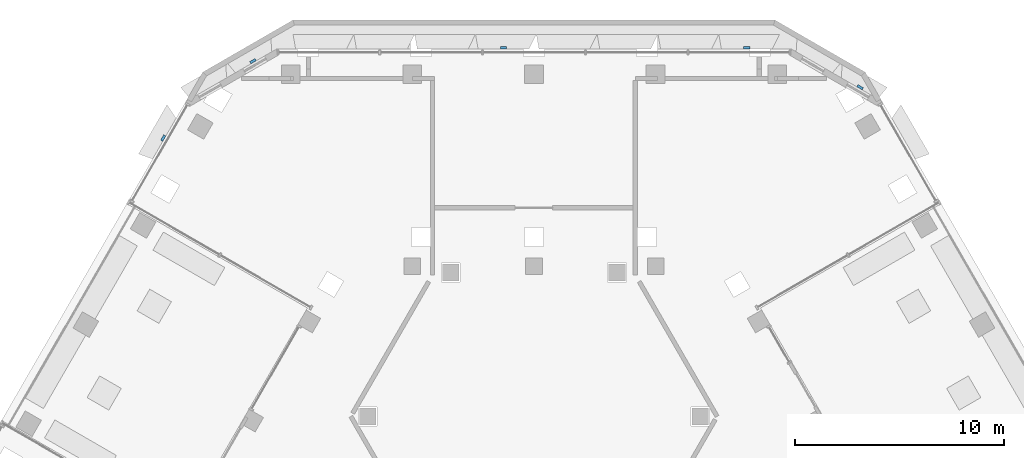
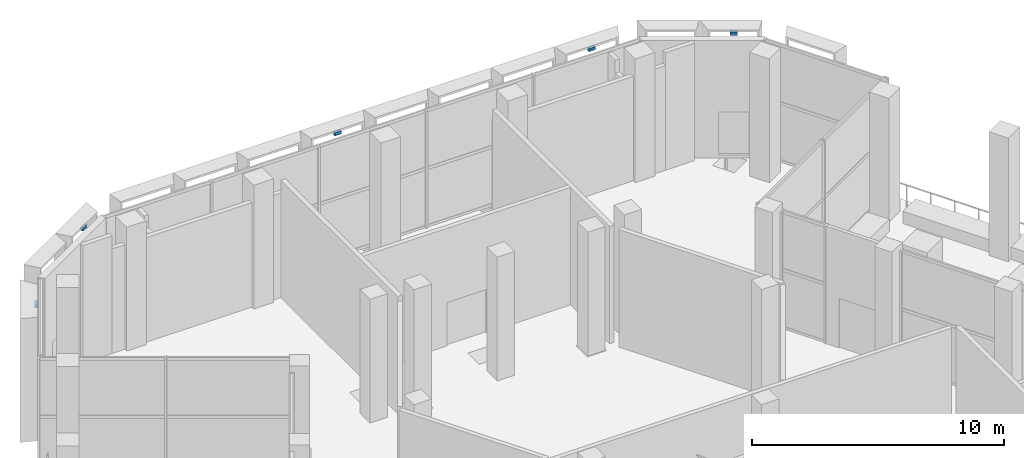
# One storey, part 17 of 27: 5 discrete accessories.
"""IFC4 building model written with IfcOpenShell, lengths in metres."""

import ifcopenshell
import ifcopenshell.guid

model = None  # the IFC model being written
_history = None  # IfcOwnerHistory: only IFC2X3 demands one
_inside = {}  # id of a spatial element -> (the spatial element, [elements in it])
_under = {}  # id of a project, library or spatial element -> (it, [spatial elements below it])
_declared = {}  # id of a project -> (the project, [libraries it declares])
_typed = {}  # id of a type object -> (the type object, [elements of that type])
_made_of = {}  # id of a material, layer set ... -> (it, [elements and type objects made of it])


def new_model(schema):
    """Start an empty IFC model of exactly this schema.

    Asked for "IFC4X3", IfcOpenShell would pick the latest addendum, in which some entities
    have other attributes; the version numbers below select the first issue.
    IFC2X3 requires an IfcOwnerHistory on every rooted entity: one is made here for all.
    """
    global model, _history
    if schema == "IFC4X3":
        model = ifcopenshell.file(schema_version=(4, 3, 0, 0))
    else:
        model = ifcopenshell.file(schema=schema)
    _inside.clear()
    _under.clear()
    _declared.clear()
    _typed.clear()
    _made_of.clear()
    _history = None
    if model.schema == "IFC2X3":
        org = make("IfcOrganization", Name="unknown")
        user = make(
            "IfcPersonAndOrganization",
            ThePerson=make("IfcPerson", FamilyName="unknown"),
            TheOrganization=org,
        )
        app = make(
            "IfcApplication",
            ApplicationDeveloper=org,
            Version="unknown",
            ApplicationFullName="unknown",
            ApplicationIdentifier="unknown",
        )
        _history = make(
            "IfcOwnerHistory",
            OwningUser=user,
            OwningApplication=app,
            ChangeAction="ADDED",
            CreationDate=0,
        )
    return model


def make(cls, **values):
    """One entity of the class cls with the attributes given. An attribute that is None is left unset."""
    return model.create_entity(
        cls, **{name: value for name, value in values.items() if value is not None}
    )


def rooted(cls, **values):
    """An entity with a GlobalId (a new one), such as an element, a storey or a relation."""
    return make(cls, GlobalId=ifcopenshell.guid.new(), OwnerHistory=_history, **values)


def si_unit(unit_type, name, prefix=None):
    """IfcSIUnit, for example si_unit("LENGTHUNIT", "METRE", prefix="MILLI")."""
    return make("IfcSIUnit", UnitType=unit_type, Prefix=prefix, Name=name)


def assignment(units):
    """IfcUnitAssignment: the units of a project."""
    return None if units is None else make("IfcUnitAssignment", Units=units)


def point(xyz):
    """IfcCartesianPoint."""
    return None if xyz is None else make("IfcCartesianPoint", Coordinates=xyz)


def direction(xyz):
    """IfcDirection."""
    return None if xyz is None else make("IfcDirection", DirectionRatios=xyz)


def frame(location, z_axis=None, x_axis=None):
    """IfcAxis2Placement3D, a coordinate frame: its origin and axes. An axis left out is left unset."""
    return make(
        "IfcAxis2Placement3D",
        Location=point(location),
        Axis=direction(z_axis),
        RefDirection=direction(x_axis),
    )


def origin():
    """The frame at (0, 0, 0) with its axes left unset."""
    return frame((0.0, 0.0, 0.0))


def place(relative_to, where):
    """IfcLocalPlacement: puts the frame where relative to a parent placement (None: the world)."""
    return make(
        "IfcLocalPlacement", PlacementRelTo=relative_to, RelativePlacement=where
    )


def context(
    kind, dimensions, precision=None, world=None, true_north=None, identifier=None
):
    """IfcGeometricRepresentationContext, for example the 3D "Model" context."""
    return make(
        "IfcGeometricRepresentationContext",
        ContextIdentifier=identifier,
        ContextType=kind,
        CoordinateSpaceDimension=dimensions,
        Precision=precision,
        WorldCoordinateSystem=world,
        TrueNorth=true_north,
    )


def subcontext(parent, identifier, kind, view, scale=None):
    """IfcGeometricRepresentationSubContext, for example "Body" below "Model"."""
    return make(
        "IfcGeometricRepresentationSubContext",
        ContextIdentifier=identifier,
        ContextType=kind,
        ParentContext=parent,
        TargetScale=scale,
        TargetView=view,
    )


def project(units=None, contexts=None):
    """IfcProject with its units and contexts."""
    return rooted(
        "IfcProject",
        Name="project",
        RepresentationContexts=contexts,
        UnitsInContext=assignment(units),
    )


def spatial(cls, under=None, at=None, **own):
    """A site, building, storey or space (cls), placed at a placement, below another one or the project."""
    s = rooted(cls, ObjectPlacement=at, **own)
    if under is not None:
        _under.setdefault(under.id(), (under, []))[1].append(s)
    return s


def polyline(points):
    """IfcPolyline through the points."""
    return make("IfcPolyline", Points=[point(p) for p in points])


def outline(outer, holes=None, kind="AREA"):
    """IfcArbitraryClosedProfileDef: a profile drawn as a closed curve; with holes, ...WithVoids."""
    if holes is None:
        return make("IfcArbitraryClosedProfileDef", ProfileType=kind, OuterCurve=outer)
    return make(
        "IfcArbitraryProfileDefWithVoids",
        ProfileType=kind,
        OuterCurve=outer,
        InnerCurves=holes,
    )


def extrude(swept, where, along, depth):
    """IfcExtrudedAreaSolid: the profile swept, set in the frame where, extruded along a direction by depth."""
    return make(
        "IfcExtrudedAreaSolid",
        SweptArea=swept,
        Position=where,
        ExtrudedDirection=direction(along),
        Depth=depth,
    )


def shape(context_of_items, identifier, shape_type, items):
    """IfcShapeRepresentation: the items that make up one representation, for example the "Body"."""
    return make(
        "IfcShapeRepresentation",
        ContextOfItems=context_of_items,
        RepresentationIdentifier=identifier,
        RepresentationType=shape_type,
        Items=items,
    )


def source(mapping_origin, context_of_items, identifier, shape_type, items):
    """IfcRepresentationMap: a shape defined once, which mapped items show again and again."""
    return make(
        "IfcRepresentationMap",
        MappingOrigin=mapping_origin,
        MappedRepresentation=shape(context_of_items, identifier, shape_type, items),
    )


def transform(
    local_origin,
    x_axis=None,
    y_axis=None,
    z_axis=None,
    scale=None,
    scale2=None,
    scale3=None,
    uniform=True,
):
    """IfcCartesianTransformationOperator3D, or its non-uniform kind. x_axis, y_axis, z_axis: its Axis1, 2, 3."""
    if uniform:
        return make(
            "IfcCartesianTransformationOperator3D",
            Axis1=direction(x_axis),
            Axis2=direction(y_axis),
            LocalOrigin=point(local_origin),
            Scale=scale,
            Axis3=direction(z_axis),
        )
    return make(
        "IfcCartesianTransformationOperator3DnonUniform",
        Axis1=direction(x_axis),
        Axis2=direction(y_axis),
        LocalOrigin=point(local_origin),
        Scale=scale,
        Axis3=direction(z_axis),
        Scale2=scale2,
        Scale3=scale3,
    )


def mapped(mapping_source, mapping_target):
    """IfcMappedItem: shows the shape of a source again, moved by a transform."""
    return make(
        "IfcMappedItem", MappingSource=mapping_source, MappingTarget=mapping_target
    )


def material(Name=None, Category=None):
    """IfcMaterial."""
    return make("IfcMaterial", Name=Name, Category=Category)


def made_of(thing, what):
    """Note that an element or type object is made of a material, layer set ...; save() writes the relation."""
    if what is not None:
        _made_of.setdefault(what.id(), (what, []))[1].append(thing)
    return thing


def type_object(cls, material=None, **own):
    """A type object (cls), such as IfcWallType, which elements share."""
    return made_of(rooted(cls, **own), material)


def type_shapes(of_type, sources):
    """Give a type object the sources (RepresentationMaps) that its elements show as mapped items."""
    of_type.RepresentationMaps = sources


def element(
    cls,
    number,
    at=None,
    inside=None,
    cuts=None,
    type_object=None,
    material=None,
    context=None,
    identifier="Body",
    shape_type=None,
    held_by="IfcProductDefinitionShape",
    body=None,
    shapes=None,
    **own,
):
    """One element of the class cls, such as IfcWall. Its Tag is "e" and its number.

    at: its placement. inside: the storey or other place that contains it. cuts: it is an
    opening in that element (IfcRelVoidsElement). A single representation is given by context,
    identifier, shape_type and body (its items); several are given by shapes. held_by: the class
    of the entity that holds the representations. save() writes the other relations.
    """
    e = rooted(cls, Tag="e%d" % number, ObjectPlacement=at, **own)
    if body is not None:
        shapes = [shape(context, identifier, shape_type, body)]
    if shapes is not None:
        e.Representation = make(held_by, Representations=shapes)
    if inside is not None:
        _inside.setdefault(inside.id(), (inside, []))[1].append(e)
    if cuts is not None:
        rooted(
            "IfcRelVoidsElement", RelatingBuildingElement=cuts, RelatedOpeningElement=e
        )
    if type_object is not None:
        _typed.setdefault(type_object.id(), (type_object, []))[1].append(e)
    return made_of(e, material)


def aggregate(whole, parts):
    """IfcRelAggregates: a whole, such as a stair, and the parts it consists of."""
    return rooted("IfcRelAggregates", RelatingObject=whole, RelatedObjects=parts)


def save(model, path):
    """Write the relations noted so far, then the file.

    IfcRelAggregates (storeys below a building ...), IfcRelContainedInSpatialStructure (elements
    in a storey), IfcRelDefinesByType, IfcRelAssociatesMaterial and IfcRelDeclares: one each for
    every whole, place, type object, material and project.
    """
    for whole, parts in _under.values():
        aggregate(whole, parts)
    for where, things in _inside.values():
        rooted(
            "IfcRelContainedInSpatialStructure",
            RelatedElements=things,
            RelatingStructure=where,
        )
    for kind, things in _typed.values():
        rooted("IfcRelDefinesByType", RelatedObjects=things, RelatingType=kind)
    for what, things in _made_of.values():
        rooted("IfcRelAssociatesMaterial", RelatedObjects=things, RelatingMaterial=what)
    for by, libraries in _declared.values():
        rooted("IfcRelDeclares", RelatingContext=by, RelatedDefinitions=libraries)
    model.write(path)


model = new_model("IFC4")

# Units and contexts
model_context = context("Model", 3, precision=1e-05, world=origin(), true_north=direction((0.0, 1.0)))
body_context = subcontext(model_context, "Body", "Model", "MODEL_VIEW")
ifc_project = project(units=[si_unit("LENGTHUNIT", "METRE"), si_unit("AREAUNIT", "SQUARE_METRE"), si_unit("VOLUMEUNIT", "CUBIC_METRE"), si_unit("PLANEANGLEUNIT", "RADIAN"), si_unit("MASSUNIT", "GRAM", prefix="KILO")], contexts=[model_context])

# Site, building, storey
site_placement = place(None, origin())
site = spatial("IfcSite", under=ifc_project, at=site_placement, CompositionType="ELEMENT")
building_placement = place(site_placement, origin())
building = spatial("IfcBuilding", under=site, at=building_placement, Name="Beryl Residences", CompositionType="ELEMENT")
storey_placement = place(building_placement, frame((0.0, 0.0, 111.60009765625)))
storey = spatial("IfcBuildingStorey", under=building, at=storey_placement, Name="L34", CompositionType="ELEMENT", Elevation=111.60009765625)

# Discrete accessories
ifc_material = material(Name="Steel S355", Category="steel")
discrete_accessory_type = type_object("IfcDiscreteAccessoryType", Name="BR1 frame bracket 300 x 120 x 150 mm", PredefinedType="BRACKET", material=ifc_material)
shared_shape = source(origin(), body_context, "Body", "SweptSolid", [
    extrude(outline(polyline([(-0.14990234375, 0.0), (0.14990234375, 0.0), (0.14990234375, 0.1201171875), (-0.14990234375, 0.1201171875), (-0.14990234375, 0.0)])), origin(), (0.0, 0.0, 1.0), 0.14990234375),
])
type_shapes(discrete_accessory_type, [shared_shape])
for number, where, z_axis, x_axis, name in (
    (1, (10.2041015625, 25.60009765625, 5.75), (0.0, 0.0, 1.0), (1.0, 0.0, 0.0), "BR1 bracket L34 N 1"),
    (2, (-1.4580078125, 25.60009765625, 5.75), (0.0, 0.0, 1.0), (1.0, 0.0, 0.0), "BR1 bracket L34 N 5"),
    (3, (-13.43798828125, 24.97509765625, 5.75), (0.0, 0.0, 1.0), (0.866025403784, 0.5, 0.0), "BR1 bracket L34 N-NW 1"),
    (4, (-17.718017578125, 21.31298828125, 5.75), (0.0, 0.0, 1.0), (0.5, 0.866025403784, 0.0), "BR1 bracket L34 NW 1"),
    (5, (15.60205078125, 23.72509765625, 5.75), (0.0, 0.0, 1.0), (0.866025403784, -0.5, 0.0), "BR1 bracket L34 NE-N 1"),
):
    element("IfcDiscreteAccessory", number, at=place(storey_placement, frame(where, z_axis=z_axis, x_axis=x_axis)), inside=storey, type_object=discrete_accessory_type, Name=name, PredefinedType="BRACKET", context=body_context, shape_type="MappedRepresentation", body=[
        mapped(shared_shape, transform((0.0, 0.0, 0.0))),
    ])

save(model, "model.ifc")
